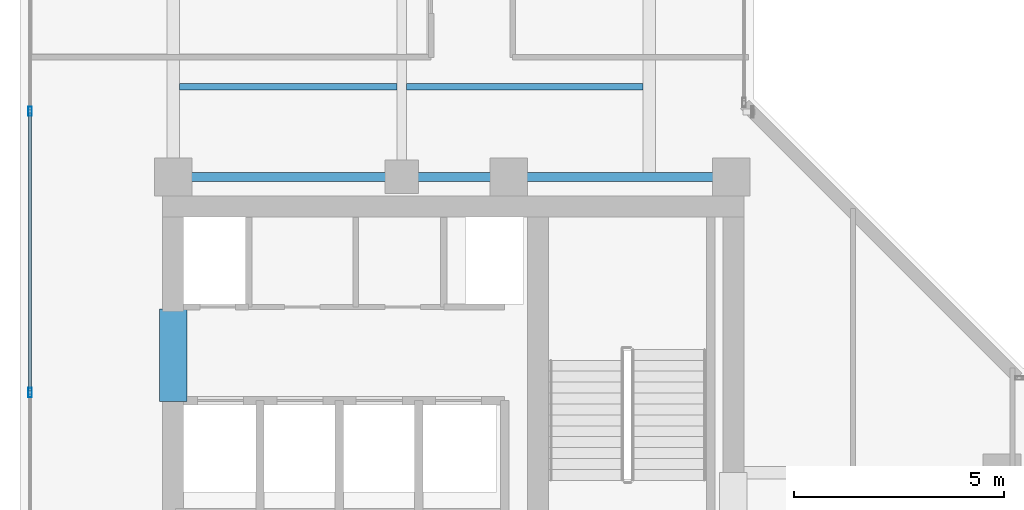
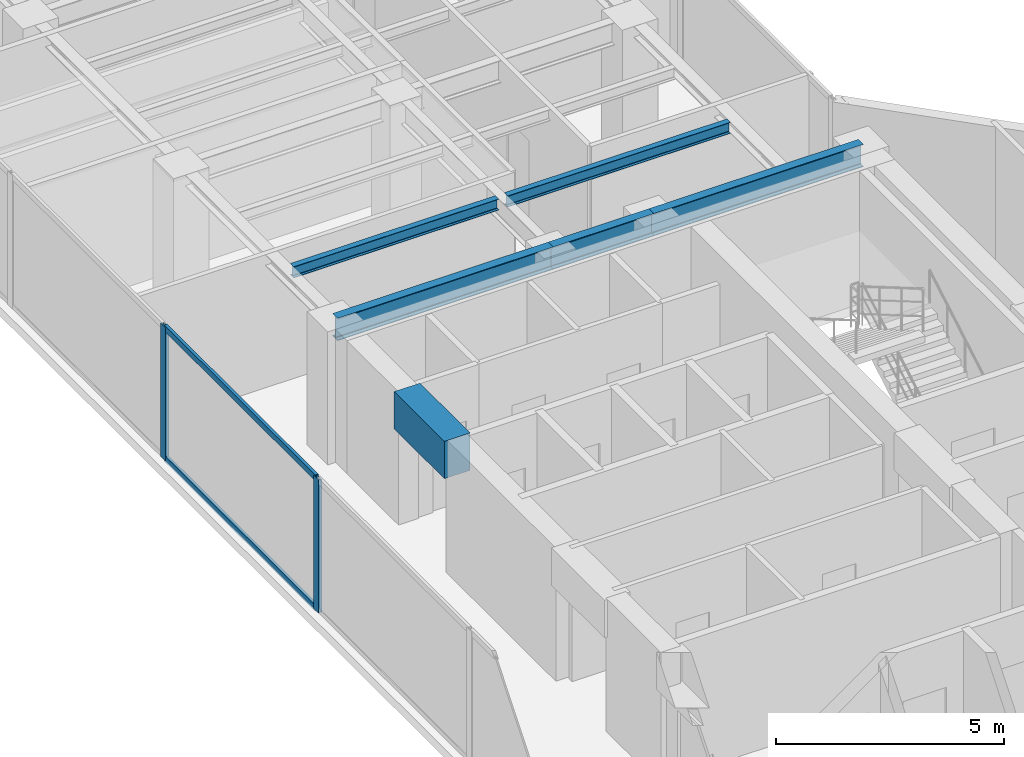
# One storey, part 7 of 24: 6 beams, 4 members, 1 element without a shape of its own.
"""IFC4 building model written with IfcOpenShell, lengths in metres."""

from ifc_helpers import new_model, si_unit, direction, frame, origin, origin_with_axes, origin_2d, place, context, subcontext, project, spatial, rectangle, hollow_rectangle, i_section, extrude, source, transform, mapped, material, layer, layer_set, material_profile, profile_set, type_object, element, aggregate, save


model = new_model("IFC4")

# Units and contexts
model_context = context("Model", 3, precision=1e-05, world=origin(), true_north=direction((0.0, 1.0)))
body_context = subcontext(model_context, "Body", "Model", "MODEL_VIEW")
ifc_project = project(units=[si_unit("LENGTHUNIT", "METRE"), si_unit("AREAUNIT", "SQUARE_METRE"), si_unit("VOLUMEUNIT", "CUBIC_METRE"), si_unit("PLANEANGLEUNIT", "RADIAN"), si_unit("MASSUNIT", "GRAM", prefix="KILO")], contexts=[model_context])

# Site, building, storey
site_placement = place(None, origin())
site = spatial("IfcSite", under=ifc_project, at=site_placement, CompositionType="ELEMENT")
building_placement = place(site_placement, origin())
building = spatial("IfcBuilding", under=site, at=building_placement, Name="Kolvaren Waterfront Exchange", CompositionType="ELEMENT")
storey_placement = place(building_placement, frame((0.0, 0.0, 300.800048828125)))
storey = spatial("IfcBuildingStorey", under=building, at=storey_placement, Name="L77", CompositionType="ELEMENT", Elevation=300.800048828125)

# Beams
ifc_material_1 = material(Name="Steel S355", Category="steel")
ifc_material_profile_1 = material_profile(ifc_material_1, i_section(OverallWidth=0.14990234375, OverallDepth=0.300048828125, WebThickness=0.007080078125, FlangeThickness=0.0107421875, FilletRadius=0.014892578125, at=origin_2d()), Name="IPE300")
ifc_profile_set_1 = profile_set([ifc_material_profile_1], Name="Steel S355")
beam_type_1 = type_object("IfcBeamType", Name="STR-BM-IPE300", PredefinedType="JOIST", material=ifc_profile_set_1)
beam_1_placement = place(storey_placement, frame((7.60205078125, 26.60009765625, 3.409912109375), z_axis=(1.0, 0.0, 0.0), x_axis=(0.0, 1.0, 0.0)))
element("IfcBeam", 1, at=beam_1_placement, inside=storey, type_object=beam_type_1, Name="L77 north-arm composite joist 1A", PredefinedType="JOIST", context=body_context, shape_type="SweptSolid", body=[
    extrude(i_section(OverallWidth=0.14990234375, OverallDepth=0.300048828125, WebThickness=0.007080078125, FlangeThickness=0.0107421875, FilletRadius=0.014892578125, at=origin_2d()), origin(), (0.0, 0.0, 1.0), 5.18603515625),
])
beam_2_placement = place(storey_placement, frame((13.011962890625, 26.60009765625, 3.409912109375), z_axis=(1.0, 0.0, 0.0), x_axis=(0.0, 1.0, 0.0)))
element("IfcBeam", 2, at=beam_2_placement, inside=storey, type_object=beam_type_1, Name="L77 north-arm composite joist 1B", PredefinedType="JOIST", context=body_context, shape_type="SweptSolid", body=[
    extrude(i_section(OverallWidth=0.14990234375, OverallDepth=0.300048828125, WebThickness=0.007080078125, FlangeThickness=0.0107421875, FilletRadius=0.014892578125, at=origin_2d()), origin(), (0.0, 0.0, 1.0), 5.635986328125),
])
ifc_material_profile_2 = material_profile(ifc_material_1, i_section(OverallWidth=0.219970703125, OverallDepth=0.60009765625, WebThickness=0.011962890625, FlangeThickness=0.01904296875, FilletRadius=0.02392578125, at=origin_2d()), Name="IPE600")
ifc_profile_set_2 = profile_set([ifc_material_profile_2], Name="Steel S355")
beam_type_2 = type_object("IfcBeamType", Name="STR-BM-IPE600", PredefinedType="BEAM", material=ifc_profile_set_2)
beam_3_placement = place(storey_placement, frame((7.449951171875, 24.449951171875, 3.260009765625), z_axis=(1.0, 0.0, 0.0), x_axis=(0.0, 1.0, 0.0)))
element("IfcBeam", 3, at=beam_3_placement, inside=storey, type_object=beam_type_2, Name="L77 north-arm girder 1A", PredefinedType="BEAM", context=body_context, shape_type="SweptSolid", body=[
    extrude(i_section(OverallWidth=0.219970703125, OverallDepth=0.60009765625, WebThickness=0.011962890625, FlangeThickness=0.01904296875, FilletRadius=0.02392578125, at=origin_2d()), origin(), (0.0, 0.0, 1.0), 5.449951171875),
])
beam_4_placement = place(storey_placement, frame((12.89990234375, 24.449951171875, 3.260009765625), z_axis=(1.0, 0.0, 0.0), x_axis=(0.0, 1.0, 0.0)))
element("IfcBeam", 4, at=beam_4_placement, inside=storey, type_object=beam_type_2, Name="L77 north-arm girder 1B", PredefinedType="BEAM", context=body_context, shape_type="SweptSolid", body=[
    extrude(i_section(OverallWidth=0.219970703125, OverallDepth=0.60009765625, WebThickness=0.011962890625, FlangeThickness=0.01904296875, FilletRadius=0.02392578125, at=origin_2d()), origin(), (0.0, 0.0, 1.0), 2.550048828125),
])
beam_5_placement = place(storey_placement, frame((15.449951171875, 24.449951171875, 3.260009765625), z_axis=(1.0, 0.0, 0.0), x_axis=(0.0, 1.0, 0.0)))
element("IfcBeam", 5, at=beam_5_placement, inside=storey, type_object=beam_type_2, Name="L77 north-arm girder 1C", PredefinedType="BEAM", context=body_context, shape_type="SweptSolid", body=[
    extrude(i_section(OverallWidth=0.219970703125, OverallDepth=0.60009765625, WebThickness=0.011962890625, FlangeThickness=0.01904296875, FilletRadius=0.02392578125, at=origin_2d()), origin(), (0.0, 0.0, 1.0), 5.300048828125),
])
ifc_material_2 = material(Name="Concrete C60/75", Category="concrete")
ifc_material_profile_3 = material_profile(ifc_material_2, rectangle(XDim=0.64990234375, YDim=1.0, at=origin_2d()), Name="RC-CB-1000x650")
ifc_profile_set_3 = profile_set([ifc_material_profile_3], Name="Concrete C60/75")
beam_type_3 = type_object("IfcBeamType", Name="STR-CB-1000", PredefinedType="SPANDREL", material=ifc_profile_set_3)
beam_6_placement = place(storey_placement, frame((7.449951171875, 19.10009765625, 3.06005859375), z_axis=(0.0, 1.0, 0.0), x_axis=(-1.0, 0.0, 0.0)))
element("IfcBeam", 6, at=beam_6_placement, inside=storey, type_object=beam_type_3, Name="L77 core coupling beam 5", PredefinedType="SPANDREL", context=body_context, shape_type="SweptSolid", body=[
    extrude(rectangle(XDim=0.64990234375, YDim=1.0, at=origin_2d()), origin(), (0.0, 0.0, 1.0), 2.199951171875),
])

# Curtain wall, members
ifc_material_3 = material(Name="Anodised aluminium 6063-T6", Category="aluminium")
ifc_layer = layer(ifc_material_3, 0.219970703125, Name="Anodised aluminium 6063-T6")
ifc_layer_set = layer_set([ifc_layer], Name="Anodised aluminium 6063-T6")
curtain_wall_type = type_object("IfcCurtainWallType", Name="ARC-CW-SYS2", PredefinedType="USERDEFINED", material=ifc_layer_set)
curtain_wall_placement = place(storey_placement, origin())
curtain_wall = element("IfcCurtainWall", 7, at=curtain_wall_placement, inside=storey, type_object=curtain_wall_type, Name="L77 stick curtain wall CW2 (CW-L77-W)", ObjectType="STICK CURTAIN WALL", PredefinedType="USERDEFINED")
ifc_material_profile_4 = material_profile(ifc_material_3, hollow_rectangle(XDim=0.080078125, YDim=0.219970703125, WallThickness=0.0048828125, at=origin_2d()), Name="ALU-MUL-220x80x5")
ifc_profile_set_4 = profile_set([ifc_material_profile_4], Name="Anodised aluminium 6063-T6")
member_type_1 = type_object("IfcMemberType", Name="ARC-CWM-220", PredefinedType="MULLION", material=ifc_profile_set_4)
shared_shape_1 = source(origin_with_axes(), body_context, "Body", "SweptSolid", [
    extrude(hollow_rectangle(XDim=0.080078125, YDim=0.219970703125, WallThickness=0.0048828125, at=origin_2d()), origin(), (0.0, 0.0, 1.0), 3.56005859375),
])
member_1_placement = place(storey_placement, frame((4.0400390625, 19.310546875, 0.0), z_axis=(0.0, 0.0, 1.0), x_axis=(-1.0, 0.0, 0.0)))
member_1 = element("IfcMember", 8, at=member_1_placement, type_object=member_type_1, Name="CW2 mullion 3", PredefinedType="MULLION", context=body_context, shape_type="MappedRepresentation", body=[
    mapped(shared_shape_1, transform((0.0, 0.0, 0.0), x_axis=(1.0, 0.0, 0.0), y_axis=(0.0, 1.0, 0.0), z_axis=(0.0, 0.0, 1.0), scale=1.0)),
])
member_2_placement = place(storey_placement, frame((4.0400390625, 26.015869140625, 0.0), z_axis=(0.0, 0.0, 1.0), x_axis=(-1.0, 0.0, 0.0)))
member_2 = element("IfcMember", 9, at=member_2_placement, type_object=member_type_1, Name="CW2 mullion 4", PredefinedType="MULLION", context=body_context, shape_type="MappedRepresentation", body=[
    mapped(shared_shape_1, transform((0.0, 0.0, 0.0), x_axis=(1.0, 0.0, 0.0), y_axis=(0.0, 1.0, 0.0), z_axis=(0.0, 0.0, 1.0), scale=1.0)),
])
ifc_material_profile_5 = material_profile(ifc_material_3, hollow_rectangle(XDim=0.074951171875, YDim=0.159912109375, WallThickness=0.00439453125, at=origin_2d()), Name="ALU-TRN-160x75x4.5")
ifc_profile_set_5 = profile_set([ifc_material_profile_5], Name="Anodised aluminium 6063-T6")
member_type_2 = type_object("IfcMemberType", Name="ARC-CWT-160", PredefinedType="USERDEFINED", material=ifc_profile_set_5)
shared_shape_2 = source(origin_with_axes(), body_context, "Body", "SweptSolid", [
    extrude(hollow_rectangle(XDim=0.074951171875, YDim=0.159912109375, WallThickness=0.00439453125, at=origin_2d()), origin(), (0.0, 0.0, 1.0), 6.625244140625),
])
member_3_placement = place(storey_placement, frame((4.0400390625, 19.3505859375, 0.037353515625), z_axis=(0.0, 1.0, 0.0), x_axis=(-1.0, 0.0, 0.0)))
member_3 = element("IfcMember", 10, at=member_3_placement, type_object=member_type_2, Name="CW2 transom 3.1", ObjectType="TRANSOM", PredefinedType="USERDEFINED", context=body_context, shape_type="MappedRepresentation", body=[
    mapped(shared_shape_2, transform((0.0, 0.0, 0.0), x_axis=(1.0, 0.0, 0.0), y_axis=(0.0, 1.0, 0.0), z_axis=(0.0, 0.0, 1.0), scale=1.0)),
])
member_4_placement = place(storey_placement, frame((4.0400390625, 19.3505859375, 3.5224609375), z_axis=(0.0, 1.0, 0.0), x_axis=(-1.0, 0.0, 0.0)))
member_4 = element("IfcMember", 11, at=member_4_placement, type_object=member_type_2, Name="CW2 transom 3.2", ObjectType="TRANSOM", PredefinedType="USERDEFINED", context=body_context, shape_type="MappedRepresentation", body=[
    mapped(shared_shape_2, transform((0.0, 0.0, 0.0), x_axis=(1.0, 0.0, 0.0), y_axis=(0.0, 1.0, 0.0), z_axis=(0.0, 0.0, 1.0), scale=1.0)),
])
aggregate(curtain_wall, [member_1, member_2, member_3, member_4])

save(model, "model.ifc")
